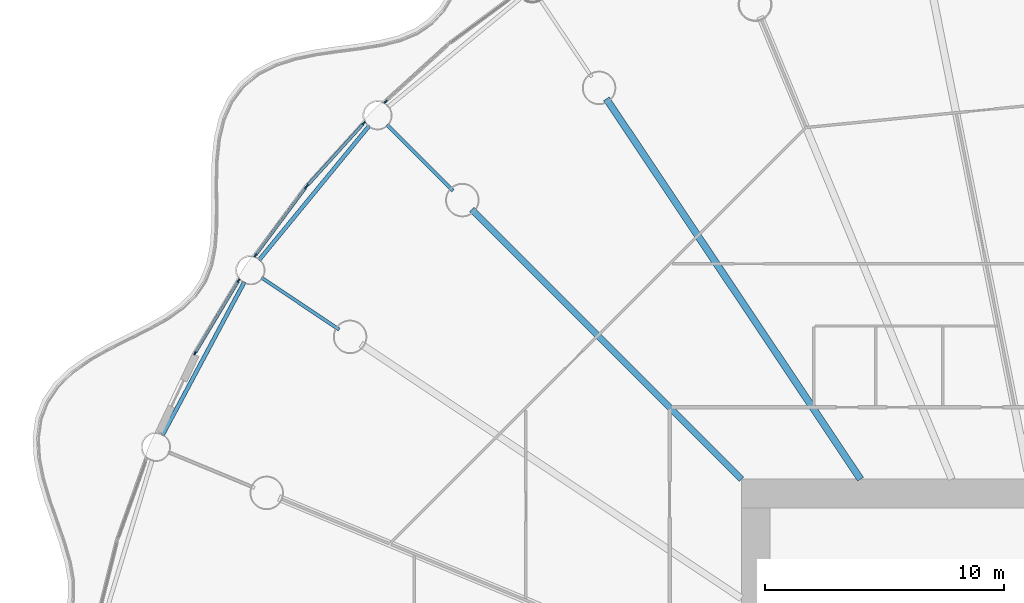
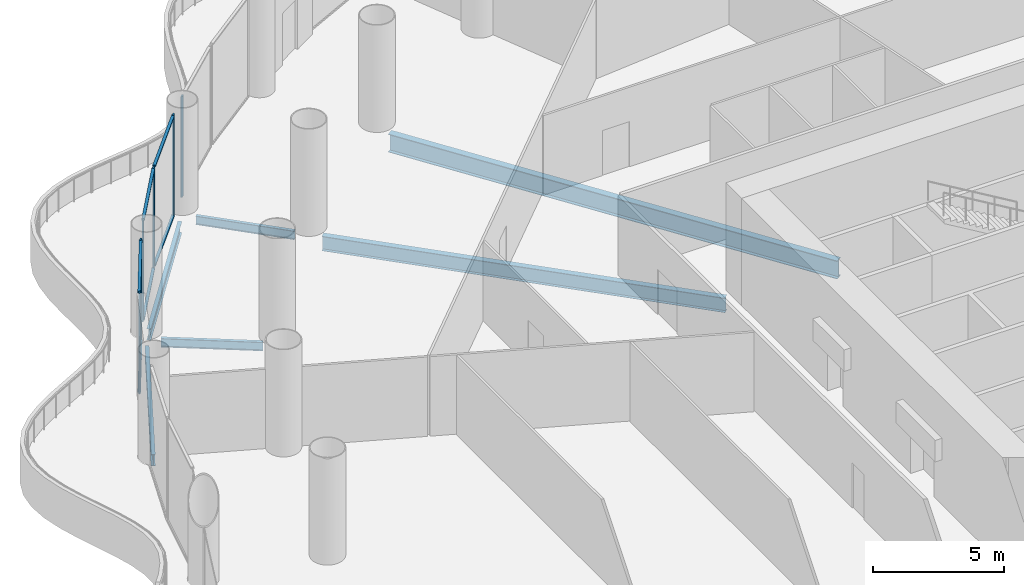
# One storey, part 14 of 35: 13 members, 6 beams, 4 elements without a shape of their own.
"""IFC4 building model written with IfcOpenShell, lengths in metres."""

from ifc_helpers import new_model, si_unit, direction, frame, origin, origin_2d, place, context, subcontext, project, spatial, rectangle, i_section, extrude, material, material_profile, profile_set, type_object, element, aggregate, save


model = new_model("IFC4")

# Units and contexts
model_context = context("Model", 3, precision=1e-05, world=origin(), true_north=direction((0.0, 1.0)))
body_context = subcontext(model_context, "Body", "Model", "MODEL_VIEW")
ifc_project = project(units=[si_unit("LENGTHUNIT", "METRE"), si_unit("AREAUNIT", "SQUARE_METRE"), si_unit("VOLUMEUNIT", "CUBIC_METRE"), si_unit("PLANEANGLEUNIT", "RADIAN"), si_unit("MASSUNIT", "GRAM", prefix="KILO")], contexts=[model_context])

# Site, building, storey
site_placement = place(None, origin())
site = spatial("IfcSite", under=ifc_project, at=site_placement, CompositionType="ELEMENT")
building_placement = place(site_placement, origin())
building = spatial("IfcBuilding", under=site, at=building_placement, Name="Corvane Civic Tower", CompositionType="ELEMENT")
storey_placement = place(building_placement, frame((0.0, 0.0, 27.0)))
storey = spatial("IfcBuildingStorey", under=building, at=storey_placement, Name="L05", CompositionType="ELEMENT", Elevation=27.0)

# Beams
ifc_material_1 = material(Name="Steel ASTM A992 Gr 50", Category="steel")
ifc_material_profile_1 = material_profile(ifc_material_1, i_section(OverallWidth=0.165771484375, OverallDepth=0.5283203125, WebThickness=0.009765625, FlangeThickness=0.013671875, at=origin_2d()), Name="W21X50")
ifc_profile_set_1 = profile_set([ifc_material_profile_1], Name="Steel ASTM A992 Gr 50")
beam_type_1 = type_object("IfcBeamType", Name="EDGE BEAM W21X50", PredefinedType="BEAM", material=ifc_profile_set_1)
for number, where, z_axis, x_axis, name in (
    (1, (-39.1904296875, 16.82568359375, -0.564208984375), (0.471412394598, 0.881912894916, 0.0), (-0.881912894916, 0.471412394598, 0.0), "BM-L05-E27"),
    (2, (-35.15478515625, 24.14794921875, -0.564208984375), (0.634396365205, 0.773007924807, 0.0), (-0.773007924807, 0.634396365205, 0.0), "BM-L05-E28"),
):
    element("IfcBeam", number, at=place(storey_placement, frame(where, z_axis=z_axis, x_axis=x_axis)), inside=storey, type_object=beam_type_1, Name=name, PredefinedType="BEAM", context=body_context, shape_type="SweptSolid", body=[
        extrude(i_section(OverallWidth=0.165771484375, OverallDepth=0.5283203125, WebThickness=0.009765625, FlangeThickness=0.013671875, at=origin_2d()), origin(), (0.0, 0.0, 1.0), 7.270751953125),
    ])
ifc_material_2 = material(Name="Steel ASTM A992 Gr 50", Category="steel")
ifc_material_profile_2 = material_profile(ifc_material_2, i_section(OverallWidth=0.140380859375, OverallDepth=0.40380859375, WebThickness=0.007080078125, FlangeThickness=0.01123046875, at=origin_2d()), Name="W16X31")
ifc_profile_set_2 = profile_set([ifc_material_profile_2], Name="Steel ASTM A992 Gr 50")
beam_type_2 = type_object("IfcBeamType", Name="FLOOR GIRDER W16X31", PredefinedType="BEAM", material=ifc_profile_set_2)
for number, where, z_axis, x_axis, name in (
    (3, (-31.8037109375, 21.25048828125, -0.501953125), (-0.831462344301, 0.555581110199, 0.0), (-0.555581110199, -0.831462344301, 0.0), "BM-L05-G28b"),
    (4, (-27.046875, 27.046875, -0.501953125), (-0.707106781187, 0.707106781187, 0.0), (-0.707106781187, -0.707106781187, 0.0), "BM-L05-G29b"),
):
    element("IfcBeam", number, at=place(storey_placement, frame(where, z_axis=z_axis, x_axis=x_axis)), inside=storey, type_object=beam_type_2, Name=name, PredefinedType="BEAM", context=body_context, shape_type="SweptSolid", body=[
        extrude(i_section(OverallWidth=0.140380859375, OverallDepth=0.40380859375, WebThickness=0.007080078125, FlangeThickness=0.01123046875, at=origin_2d()), origin(), (0.0, 0.0, 1.0), 3.89990234375),
    ])
ifc_material_3 = material(Name="Steel ASTM A992 Gr 50", Category="steel")
ifc_material_profile_3 = material_profile(ifc_material_3, i_section(OverallWidth=0.25390625, OverallDepth=0.67822265625, WebThickness=0.01171875, FlangeThickness=0.016357421875, at=origin_2d()), Name="W27X84")
ifc_profile_set_3 = profile_set([ifc_material_profile_3], Name="Steel ASTM A992 Gr 50")
beam_type_3 = type_object("IfcBeamType", Name="FLOOR GIRDER W27X84", PredefinedType="BEAM", material=ifc_profile_set_3)
beam_1_placement = place(storey_placement, frame((-15.0, 15.0, -0.63916015625), z_axis=(-0.707106781187, 0.707106781187, 0.0), x_axis=(-0.707106781187, -0.707106781187, 0.0)))
element("IfcBeam", 5, at=beam_1_placement, inside=storey, type_object=beam_type_3, Name="BM-L05-G29", PredefinedType="BEAM", context=body_context, shape_type="SweptSolid", body=[
    extrude(i_section(OverallWidth=0.25390625, OverallDepth=0.67822265625, WebThickness=0.01171875, FlangeThickness=0.016357421875, at=origin_2d()), origin(), (0.0, 0.0, 1.0), 15.936767578125),
])
ifc_material_4 = material(Name="Steel ASTM A992 Gr 50", Category="steel")
ifc_material_profile_4 = material_profile(ifc_material_4, i_section(OverallWidth=0.2919921875, OverallDepth=0.845703125, WebThickness=0.015380859375, FlangeThickness=0.0244140625, at=origin_2d()), Name="W33X141")
ifc_profile_set_4 = profile_set([ifc_material_profile_4], Name="Steel ASTM A992 Gr 50")
beam_type_4 = type_object("IfcBeamType", Name="FLOOR GIRDER W33X141", PredefinedType="BEAM", material=ifc_profile_set_4)
beam_2_placement = place(storey_placement, frame((-10.022705078125, 15.0, -0.722900390625), z_axis=(-0.555566681385, 0.831471985418, 0.0), x_axis=(-0.831471985418, -0.555566681385, 0.0)))
element("IfcBeam", 6, at=beam_2_placement, inside=storey, type_object=beam_type_4, Name="BM-L05-G30", PredefinedType="BEAM", context=body_context, shape_type="SweptSolid", body=[
    extrude(i_section(OverallWidth=0.2919921875, OverallDepth=0.845703125, WebThickness=0.015380859375, FlangeThickness=0.0244140625, at=origin_2d()), origin(), (0.0, 0.0, 1.0), 19.109619140625),
])

# Curtain wall, members
ifc_material_5 = material(Name="Aluminium and glass", Category="aluminium")
curtain_wall_type = type_object("IfcCurtainWallType", Name="PODIUM-CW-P-RUN", PredefinedType="NOTDEFINED", material=ifc_material_5)
curtain_wall_1_placement = place(storey_placement, origin())
curtain_wall_1 = element("IfcCurtainWall", 7, at=curtain_wall_1_placement, inside=storey, type_object=curtain_wall_type, Name="PODI run L05-drum-27B", PredefinedType="NOTDEFINED")
ifc_material_6 = material(Name="Anodised aluminium bronze", Category="aluminium")
ifc_material_profile_5 = material_profile(ifc_material_6, rectangle(XDim=0.06005859375, YDim=0.159912109375, at=origin_2d()), Name="AL 60x160")
ifc_profile_set_5 = profile_set([ifc_material_profile_5], Name="Anodised aluminium bronze")
member_type_1 = type_object("IfcMemberType", Name="PODIUM-CWP-MULLION-60x160", PredefinedType="MULLION", material=ifc_profile_set_5)
member_1_placement = place(storey_placement, frame((-37.819580078125, 20.2666015625, 0.0), z_axis=(0.0, 0.0, 1.0), x_axis=(-0.857719609779, 0.514117759857, 0.0)))
member_1 = element("IfcMember", 8, at=member_1_placement, type_object=member_type_1, Name="CW-P mullion 1", PredefinedType="MULLION", context=body_context, shape_type="SweptSolid", body=[
    extrude(rectangle(XDim=0.06005859375, YDim=0.159912109375, at=origin_2d()), origin(), (0.0, 0.0, 1.0), 4.699951171875),
])
member_2_placement = place(storey_placement, frame((-36.010009765625, 23.28564453125, 0.0), z_axis=(0.0, 0.0, 1.0), x_axis=(-0.857719609779, 0.514117759857, 0.0)))
member_2 = element("IfcMember", 9, at=member_2_placement, type_object=member_type_1, Name="CW-P mullion 2", PredefinedType="MULLION", context=body_context, shape_type="SweptSolid", body=[
    extrude(rectangle(XDim=0.06005859375, YDim=0.159912109375, at=origin_2d()), origin(), (0.0, 0.0, 1.0), 4.699951171875),
])

curtain_wall_2_placement = place(storey_placement, origin())
curtain_wall_2 = element("IfcCurtainWall", 10, at=curtain_wall_2_placement, inside=storey, type_object=curtain_wall_type, Name="PODI run L05-drum-28A", PredefinedType="NOTDEFINED")
member_3_placement = place(storey_placement, frame((-35.293701171875, 24.35791015625, 0.0), z_axis=(0.0, 0.0, 1.0), x_axis=(-0.803203229747, 0.595705104665, 0.0)))
member_3 = element("IfcMember", 11, at=member_3_placement, type_object=member_type_1, Name="CW-P mullion 1", PredefinedType="MULLION", context=body_context, shape_type="SweptSolid", body=[
    extrude(rectangle(XDim=0.06005859375, YDim=0.159912109375, at=origin_2d()), origin(), (0.0, 0.0, 1.0), 4.699951171875),
])
member_4_placement = place(storey_placement, frame((-33.197021484375, 27.18505859375, 0.0), z_axis=(0.0, 0.0, 1.0), x_axis=(-0.803203229747, 0.595705104665, 0.0)))
member_4 = element("IfcMember", 12, at=member_4_placement, type_object=member_type_1, Name="CW-P mullion 2", PredefinedType="MULLION", context=body_context, shape_type="SweptSolid", body=[
    extrude(rectangle(XDim=0.06005859375, YDim=0.159912109375, at=origin_2d()), origin(), (0.0, 0.0, 1.0), 4.699951171875),
])

curtain_wall_3_placement = place(storey_placement, origin())
curtain_wall_3 = element("IfcCurtainWall", 13, at=curtain_wall_3_placement, inside=storey, type_object=curtain_wall_type, Name="PODI run L05-drum-28B", PredefinedType="NOTDEFINED")
member_5_placement = place(storey_placement, frame((-33.13916015625, 27.25537109375, 0.0), z_axis=(0.0, 0.0, 1.0), x_axis=(-0.740935261089, 0.671576457952, 0.0)))
member_5 = element("IfcMember", 14, at=member_5_placement, type_object=member_type_1, Name="CW-P mullion 1", PredefinedType="MULLION", context=body_context, shape_type="SweptSolid", body=[
    extrude(rectangle(XDim=0.06005859375, YDim=0.159912109375, at=origin_2d()), origin(), (0.0, 0.0, 1.0), 4.699951171875),
])
member_6_placement = place(storey_placement, frame((-30.775390625, 29.863525390625, 0.0), z_axis=(0.0, 0.0, 1.0), x_axis=(-0.740935261089, 0.671576457952, 0.0)))
member_6 = element("IfcMember", 15, at=member_6_placement, type_object=member_type_1, Name="CW-P mullion 2", PredefinedType="MULLION", context=body_context, shape_type="SweptSolid", body=[
    extrude(rectangle(XDim=0.06005859375, YDim=0.159912109375, at=origin_2d()), origin(), (0.0, 0.0, 1.0), 4.699951171875),
])

# Curtain wall, member
curtain_wall_4_placement = place(storey_placement, origin())
curtain_wall_4 = element("IfcCurtainWall", 16, at=curtain_wall_4_placement, inside=storey, type_object=curtain_wall_type, Name="PODI run L05-drum-29A", PredefinedType="NOTDEFINED")
member_7_placement = place(storey_placement, frame((-29.863525390625, 30.775390625, 0.0), z_axis=(0.0, 0.0, 1.0), x_axis=(-0.671576457952, 0.740935261089, 0.0)))
member_7 = element("IfcMember", 17, at=member_7_placement, type_object=member_type_1, Name="CW-P mullion 1", PredefinedType="MULLION", context=body_context, shape_type="SweptSolid", body=[
    extrude(rectangle(XDim=0.06005859375, YDim=0.159912109375, at=origin_2d()), origin(), (0.0, 0.0, 1.0), 4.699951171875),
])
aggregate(curtain_wall_4, [member_7])

# Member
ifc_material_7 = material(Name="Anodised aluminium bronze", Category="aluminium")
ifc_material_profile_6 = material_profile(ifc_material_7, rectangle(XDim=0.1201171875, YDim=0.06005859375, at=origin_2d()), Name="AL 120x60")
ifc_profile_set_6 = profile_set([ifc_material_profile_6], Name="Anodised aluminium bronze")
member_type_2 = type_object("IfcMemberType", Name="PODIUM-CWP-TRANSOM-60x120", PredefinedType="USERDEFINED", material=ifc_profile_set_6)
member_8_placement = place(storey_placement, frame((-37.80419921875, 20.29248046875, 0.030029296875), z_axis=(0.514111713099, 0.857723234181, 0.0), x_axis=(-0.857723234181, 0.514111713099, 0.0)))
member_8 = element("IfcMember", 18, at=member_8_placement, type_object=member_type_2, Name="CW-P transom 1.1", ObjectType="TRANSOM", PredefinedType="USERDEFINED", context=body_context, shape_type="SweptSolid", body=[
    extrude(rectangle(XDim=0.1201171875, YDim=0.06005859375, at=origin_2d()), origin(), (0.0, 0.0, 1.0), 3.45947265625),
])

member_9_placement = place(storey_placement, frame((-37.80419921875, 20.29248046875, 4.669921875), z_axis=(0.514111713099, 0.857723234181, 0.0), x_axis=(-0.857723234181, 0.514111713099, 0.0)))
member_9 = element("IfcMember", 19, at=member_9_placement, type_object=member_type_2, Name="CW-P transom 1.2", ObjectType="TRANSOM", PredefinedType="USERDEFINED", context=body_context, shape_type="SweptSolid", body=[
    extrude(rectangle(XDim=0.1201171875, YDim=0.06005859375, at=origin_2d()), origin(), (0.0, 0.0, 1.0), 3.45947265625),
])

aggregate(curtain_wall_1, [member_1, member_2, member_8, member_9])

member_10_placement = place(storey_placement, frame((-35.27587890625, 24.382080078125, 0.030029296875), z_axis=(0.595723591285, 0.803189518598, 0.0), x_axis=(-0.803189518598, 0.595723591285, 0.0)))
member_10 = element("IfcMember", 20, at=member_10_placement, type_object=member_type_2, Name="CW-P transom 1.1", ObjectType="TRANSOM", PredefinedType="USERDEFINED", context=body_context, shape_type="SweptSolid", body=[
    extrude(rectangle(XDim=0.1201171875, YDim=0.06005859375, at=origin_2d()), origin(), (0.0, 0.0, 1.0), 3.459716796875),
])

member_11_placement = place(storey_placement, frame((-35.27587890625, 24.382080078125, 4.669921875), z_axis=(0.595723591285, 0.803189518598, 0.0), x_axis=(-0.803189518598, 0.595723591285, 0.0)))
member_11 = element("IfcMember", 21, at=member_11_placement, type_object=member_type_2, Name="CW-P transom 1.2", ObjectType="TRANSOM", PredefinedType="USERDEFINED", context=body_context, shape_type="SweptSolid", body=[
    extrude(rectangle(XDim=0.1201171875, YDim=0.06005859375, at=origin_2d()), origin(), (0.0, 0.0, 1.0), 3.459716796875),
])

aggregate(curtain_wall_2, [member_3, member_4, member_10, member_11])

member_12_placement = place(storey_placement, frame((-33.119140625, 27.277587890625, 0.030029296875), z_axis=(0.671576323599, 0.740935382865, 0.0), x_axis=(-0.740935382865, 0.671576323599, 0.0)))
member_12 = element("IfcMember", 22, at=member_12_placement, type_object=member_type_2, Name="CW-P transom 1.1", ObjectType="TRANSOM", PredefinedType="USERDEFINED", context=body_context, shape_type="SweptSolid", body=[
    extrude(rectangle(XDim=0.1201171875, YDim=0.06005859375, at=origin_2d()), origin(), (0.0, 0.0, 1.0), 3.460205078125),
])

member_13_placement = place(storey_placement, frame((-33.119140625, 27.277587890625, 4.669921875), z_axis=(0.671576323599, 0.740935382865, 0.0), x_axis=(-0.740935382865, 0.671576323599, 0.0)))
member_13 = element("IfcMember", 23, at=member_13_placement, type_object=member_type_2, Name="CW-P transom 1.2", ObjectType="TRANSOM", PredefinedType="USERDEFINED", context=body_context, shape_type="SweptSolid", body=[
    extrude(rectangle(XDim=0.1201171875, YDim=0.06005859375, at=origin_2d()), origin(), (0.0, 0.0, 1.0), 3.460205078125),
])

aggregate(curtain_wall_3, [member_5, member_6, member_12, member_13])

save(model, "model.ifc")
